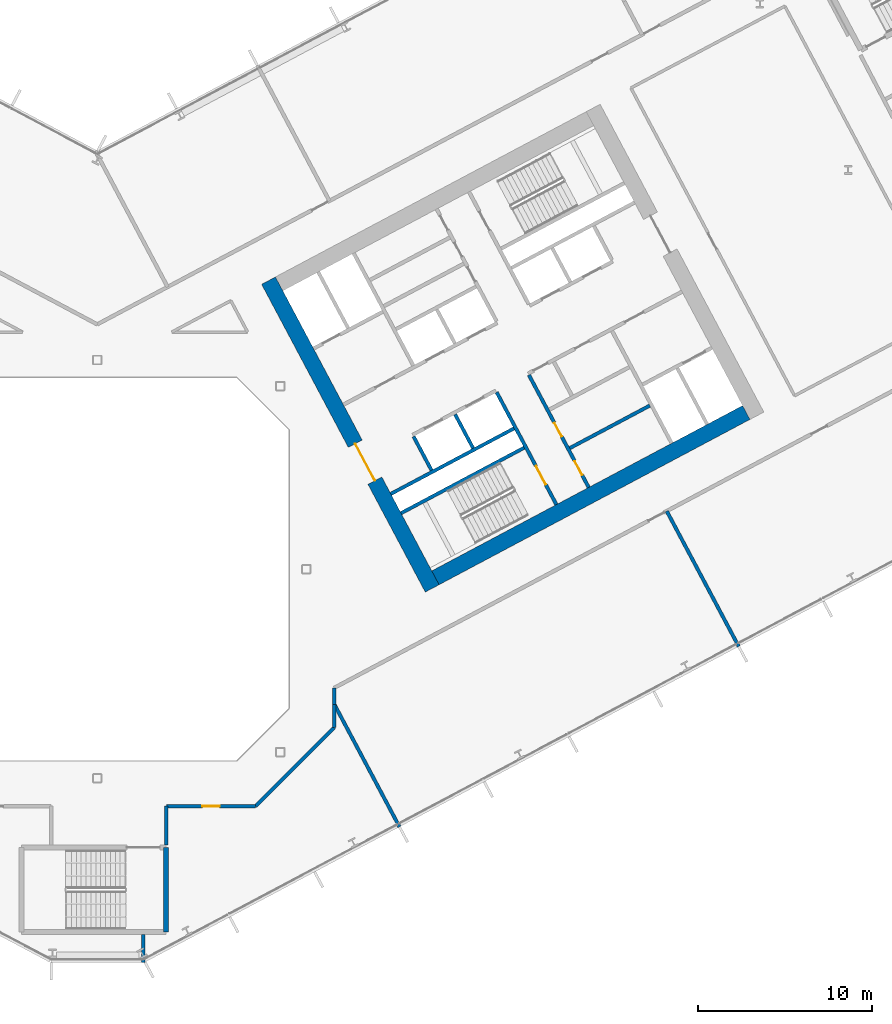
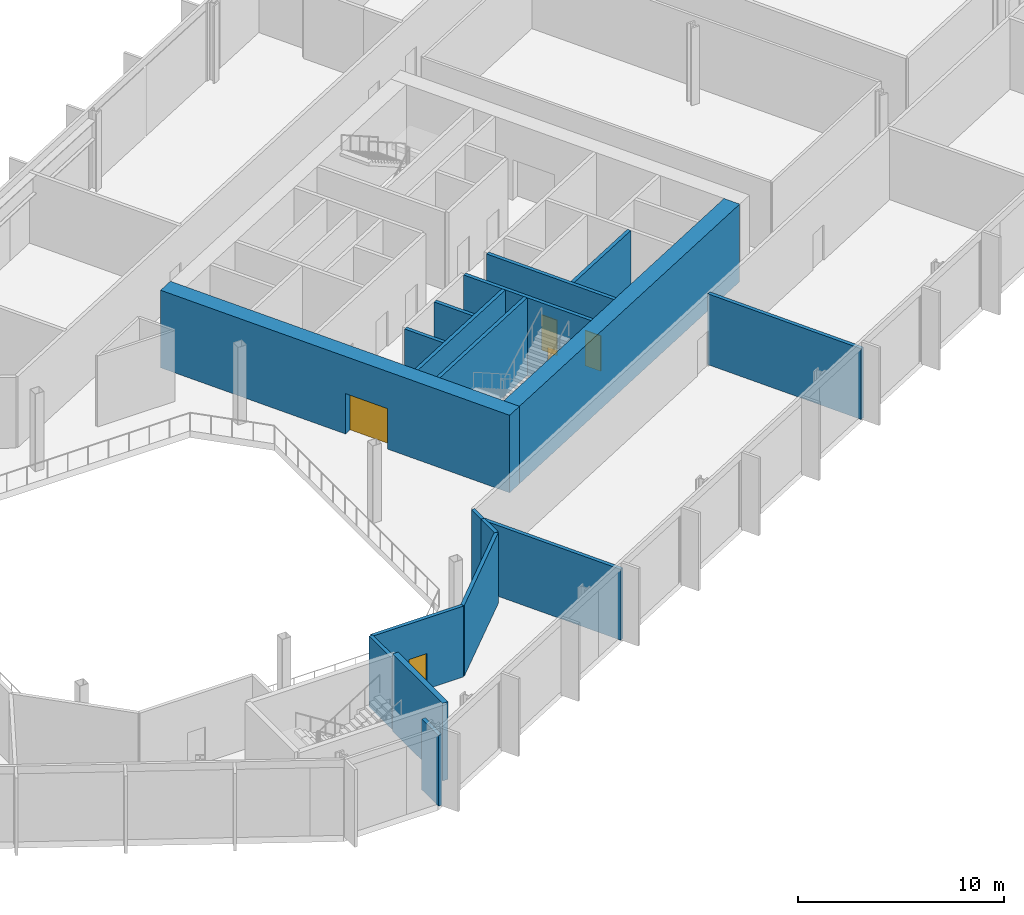
# One storey, part 16 of 32: 18 walls, 5 doors, 5 openings.
"""IFC4 building model written with IfcOpenShell, lengths in metres."""

from ifc_helpers import new_model, si_unit, direction, frame, frame_2d, origin, place, context, subcontext, project, spatial, rectangle, extrude, material, layer, layer_set, type_object, element, fill, save


model = new_model("IFC4")

# Units and contexts
model_context = context("Model", 3, precision=1e-05, world=origin(), true_north=direction((0.0, 1.0)))
body_context = subcontext(model_context, "Body", "Model", "MODEL_VIEW")
ifc_project = project(units=[si_unit("LENGTHUNIT", "METRE"), si_unit("AREAUNIT", "SQUARE_METRE"), si_unit("VOLUMEUNIT", "CUBIC_METRE"), si_unit("PLANEANGLEUNIT", "RADIAN"), si_unit("MASSUNIT", "GRAM", prefix="KILO")], contexts=[model_context])

# Site, building, storey
site_placement = place(None, origin())
site = spatial("IfcSite", under=ifc_project, at=site_placement, CompositionType="ELEMENT")
building_placement = place(site_placement, origin())
building = spatial("IfcBuilding", under=site, at=building_placement, Name="Cormorant Relay Tower", CompositionType="ELEMENT")
storey_placement = place(building_placement, frame((0.0, 0.0, 70.800048828125)))
storey = spatial("IfcBuildingStorey", under=building, at=storey_placement, Name="L13", CompositionType="ELEMENT", Elevation=70.800048828125)

# Walls
ifc_material_1 = material(Name="Concrete 40 MPa", Category="concrete")
ifc_layer_1 = layer(ifc_material_1, 0.199951171875)
ifc_layer_set_1 = layer_set([ifc_layer_1], Name="Core internal wall 200")
wall_type_1 = type_object("IfcWallType", Name="Core internal wall 200", PredefinedType="SOLIDWALL", material=ifc_layer_set_1)
wall_1_placement = place(storey_placement, frame((21.567626953125, 6.9375, 0.0), z_axis=(0.0, 0.0, 1.0), x_axis=(-0.469533832133, 0.882914480843, 0.0)))
element("IfcWall", 1, at=wall_1_placement, inside=storey, type_object=wall_type_1, Name="L13 core B shaft and room wall", PredefinedType="SOLIDWALL", context=body_context, shape_type="SweptSolid", body=[
    extrude(rectangle(XDim=2.199951171875, YDim=0.199951171875, at=frame_2d((1.10009765625, 0.0))), origin(), (0.0, 0.0, 1.0), 4.599853515625),
])
wall_2_placement = place(storey_placement, frame((27.11474609375, 6.942138671875, 0.0), z_axis=(0.0, 0.0, 1.0), x_axis=(0.882934506056, 0.469496174655, 0.0)))
element("IfcWall", 2, at=wall_2_placement, inside=storey, type_object=wall_type_1, Name="L13 core B shaft and room wall", PredefinedType="SOLIDWALL", context=body_context, shape_type="SweptSolid", body=[
    extrude(rectangle(XDim=5.199951171875, YDim=0.199951171875, at=frame_2d((2.60009765625, 0.0))), origin(), (0.0, 0.0, 1.0), 4.599853515625),
])
ifc_material_2 = material(Name="Concrete 50 MPa", Category="concrete")
ifc_layer_2 = layer(ifc_material_2, 0.199951171875)
ifc_layer_set_2 = layer_set([ifc_layer_2], Name="Core shaft wall 200")
wall_type_2 = type_object("IfcWallType", Name="Core shaft wall 200", PredefinedType="SHEAR", material=ifc_layer_set_2)
wall_3_placement = place(storey_placement, frame((19.18359375, 5.669921875, 0.0), z_axis=(0.0, 0.0, 1.0), x_axis=(-0.4694473164, 0.882960484464, 0.0)))
element("IfcWall", 3, at=wall_3_placement, inside=storey, type_object=wall_type_2, Name="L13 core B shaft wall", PredefinedType="SHEAR", context=body_context, shape_type="SweptSolid", body=[
    extrude(rectangle(XDim=2.199951171875, YDim=0.199951171875, at=frame_2d((1.10009765625, 0.0))), origin(), (0.0, 0.0, 1.0), 4.599853515625),
])

# Wall, opening, door
wall_4_placement = place(storey_placement, frame((26.345947265625, 3.701904296875, 0.0), z_axis=(0.0, 0.0, 1.0), x_axis=(-0.469480409012, 0.88294288918, 0.0)))
wall_4 = element("IfcWall", 4, at=wall_4_placement, inside=storey, type_object=wall_type_2, Name="L13 core B shaft wall", PredefinedType="SHEAR", context=body_context, shape_type="SweptSolid", body=[
    extrude(rectangle(XDim=7.300048828125, YDim=0.199951171875, at=frame_2d((3.64990234375, 0.0))), origin(), (0.0, 0.0, 1.0), 4.599853515625),
])
opening_1_placement = place(wall_4_placement, frame((1.300048828125, 0.0, 0.0)))
opening_1 = element("IfcOpeningElement", 5, at=opening_1_placement, cuts=wall_4, Name="Opening CDB-026", PredefinedType="OPENING", context=body_context, shape_type="SweptSolid", body=[
    extrude(rectangle(XDim=1.199951171875, YDim=2.10009765625, at=frame_2d((0.60009765625, 1.050048828125))), frame((0.0, 0.10986328125, 0.0), z_axis=(0.0, -1.0, 0.0), x_axis=(1.0, 0.0, 0.0)), (0.0, 0.0, 1.0), 0.219970703125),
])
ifc_material_3 = material(Name="Steel fire door", Category="steel")
door_type_1 = type_object("IfcDoorType", Name="Core stair door 1200x2100", OperationType="SINGLE_SWING_LEFT", PredefinedType="DOOR", material=ifc_material_3)
door_1_placement = place(opening_1_placement, origin())
door_1 = element("IfcDoor", 6, at=door_1_placement, inside=storey, type_object=door_type_1, Name="Core stair door 1200x2100", OperationType="SINGLE_SWING_RIGHT", OverallHeight=2.10009765625, OverallWidth=1.199951171875, PredefinedType="DOOR", context=body_context, shape_type="SweptSolid", body=[
    extrude(rectangle(XDim=1.199951171875, YDim=2.10009765625, at=frame_2d((0.60009765625, 1.050048828125))), frame((0.0, 0.02490234375, 0.0), z_axis=(0.0, -1.0, 0.0), x_axis=(1.0, 0.0, 0.0)), (0.0, 0.0, 1.0), 0.050048828125),
])
fill(opening_1, door_1)

# Wall, openings, doors
wall_5_placement = place(storey_placement, frame((28.199951171875, 4.687744140625, 0.0), z_axis=(0.0, 0.0, 1.0), x_axis=(-0.469454336211, 0.882956752176, 0.0)))
wall_5 = element("IfcWall", 7, at=wall_5_placement, inside=storey, type_object=wall_type_2, Name="L13 core B shaft wall", PredefinedType="SHEAR", context=body_context, shape_type="SweptSolid", body=[
    extrude(rectangle(XDim=7.300048828125, YDim=0.199951171875, at=frame_2d((3.64990234375, 0.0))), origin(), (0.0, 0.0, 1.0), 4.599853515625),
])
opening_2_placement = place(wall_5_placement, frame((0.800048828125, 0.0, 0.0)))
opening_2 = element("IfcOpeningElement", 8, at=opening_2_placement, cuts=wall_5, Name="Opening CDD-124", PredefinedType="OPENING", context=body_context, shape_type="SweptSolid", body=[
    extrude(rectangle(XDim=0.89990234375, YDim=2.10009765625, at=frame_2d((0.449951171875, 1.050048828125))), frame((0.0, 0.10986328125, 0.0), z_axis=(0.0, -1.0, 0.0), x_axis=(1.0, 0.0, 0.0)), (0.0, 0.0, 1.0), 0.219970703125),
])
opening_3_placement = place(wall_5_placement, frame((3.300048828125, 0.0, 0.0)))
opening_3 = element("IfcOpeningElement", 9, at=opening_3_placement, cuts=wall_5, Name="Opening CDD-125", PredefinedType="OPENING", context=body_context, shape_type="SweptSolid", body=[
    extrude(rectangle(XDim=0.89990234375, YDim=2.10009765625, at=frame_2d((0.449951171875, 1.050048828125))), frame((0.0, 0.10986328125, 0.0), z_axis=(0.0, -1.0, 0.0), x_axis=(1.0, 0.0, 0.0)), (0.0, 0.0, 1.0), 0.219970703125),
])
ifc_material_4 = material(Name="Steel fire door", Category="steel")
door_type_2 = type_object("IfcDoorType", Name="Core room door 900x2100", OperationType="SINGLE_SWING_LEFT", PredefinedType="DOOR", material=ifc_material_4)
door_2_placement = place(opening_2_placement, frame((0.89990234375, 0.0, 0.0), z_axis=(0.0, 0.0, 1.0), x_axis=(-1.0, 0.0, 0.0)))
door_2 = element("IfcDoor", 10, at=door_2_placement, inside=storey, type_object=door_type_2, Name="Core room door 900x2100", OperationType="SINGLE_SWING_LEFT", OverallHeight=2.10009765625, OverallWidth=0.89990234375, PredefinedType="DOOR", context=body_context, shape_type="SweptSolid", body=[
    extrude(rectangle(XDim=0.89990234375, YDim=2.10009765625, at=frame_2d((0.449951171875, 1.050048828125))), frame((0.0, 0.02490234375, 0.0), z_axis=(0.0, -1.0, 0.0), x_axis=(1.0, 0.0, 0.0)), (0.0, 0.0, 1.0), 0.050048828125),
])
fill(opening_2, door_2)
door_3_placement = place(opening_3_placement, frame((0.89990234375, 0.0, 0.0), z_axis=(0.0, 0.0, 1.0), x_axis=(-1.0, 0.0, 0.0)))
door_3 = element("IfcDoor", 11, at=door_3_placement, inside=storey, type_object=door_type_2, Name="Core room door 900x2100", OperationType="SINGLE_SWING_LEFT", OverallHeight=2.10009765625, OverallWidth=0.89990234375, PredefinedType="DOOR", context=body_context, shape_type="SweptSolid", body=[
    extrude(rectangle(XDim=0.89990234375, YDim=2.10009765625, at=frame_2d((0.449951171875, 1.050048828125))), frame((0.0, 0.02490234375, 0.0), z_axis=(0.0, -1.0, 0.0), x_axis=(1.0, 0.0, 0.0)), (0.0, 0.0, 1.0), 0.050048828125),
])
fill(opening_3, door_3)

# Walls
for number, where, z_axis, x_axis, name in (
    (12, (17.43359375, 3.210205078125, 0.0), (0.0, 0.0, 1.0), (0.882940221191, 0.469485426614, 0.0), "L13 core B shaft wall"),
    (13, (16.8466796875, 4.31396484375, 0.0), (0.0, 0.0, 1.0), (0.882940221191, 0.469485426614, 0.0), "L13 core B shaft wall"),
):
    element("IfcWall", number, at=place(storey_placement, frame(where, z_axis=z_axis, x_axis=x_axis)), inside=storey, type_object=wall_type_2, Name=name, PredefinedType="SHEAR", context=body_context, shape_type="SweptSolid", body=[
        extrude(rectangle(XDim=8.0, YDim=0.199951171875, at=frame_2d((4.0, 0.0))), origin(), (0.0, 0.0, 1.0), 4.599853515625),
    ])

# Wall, opening, door
ifc_material_5 = material(Name="Concrete 70 MPa", Category="concrete")
ifc_layer_3 = layer(ifc_material_5, 0.89990234375)
ifc_layer_set_3 = layer_set([ifc_layer_3], Name="Core wall 900")
wall_type_3 = type_object("IfcWallType", Name="Core wall 900", PredefinedType="SHEAR", material=ifc_layer_set_3)
wall_6_placement = place(storey_placement, frame((19.21923828125, -1.106689453125, 0.0), z_axis=(0.0, 0.0, 1.0), x_axis=(-0.46947084998, 0.882947971864, 0.0)))
wall_6 = element("IfcWall", 14, at=wall_6_placement, inside=storey, type_object=wall_type_3, Name="L13 core B wall", PredefinedType="SHEAR", context=body_context, shape_type="SweptSolid", body=[
    extrude(rectangle(XDim=20.0, YDim=0.89990234375, at=frame_2d((10.0, 0.0))), origin(), (0.0, 0.0, 1.0), 4.599853515625),
])
opening_4_placement = place(wall_6_placement, frame((7.0, 0.0, 0.0)))
opening_4 = element("IfcOpeningElement", 15, at=opening_4_placement, cuts=wall_6, Name="Opening CDA-019", PredefinedType="OPENING", context=body_context, shape_type="SweptSolid", body=[
    extrude(rectangle(XDim=2.39990234375, YDim=2.39990234375, at=frame_2d((1.199951171875, 1.199951171875))), frame((0.0, 0.4599609375, 0.0), z_axis=(0.0, -1.0, 0.0), x_axis=(1.0, 0.0, 0.0)), (0.0, 0.0, 1.0), 0.919921875),
])
ifc_material_6 = material(Name="Steel fire door", Category="steel")
door_type_3 = type_object("IfcDoorType", Name="Core lobby door 2400x2400", OperationType="DOUBLE_DOOR_SINGLE_SWING", PredefinedType="DOOR", material=ifc_material_6)
door_4_placement = place(opening_4_placement, frame((2.39990234375, 0.0, 0.0), z_axis=(0.0, 0.0, 1.0), x_axis=(-1.0, 0.0, 0.0)))
door_4 = element("IfcDoor", 16, at=door_4_placement, inside=storey, type_object=door_type_3, Name="Core lobby door 2400x2400", OperationType="DOUBLE_DOOR_SINGLE_SWING", OverallHeight=2.39990234375, OverallWidth=2.39990234375, PredefinedType="DOOR", context=body_context, shape_type="SweptSolid", body=[
    extrude(rectangle(XDim=2.39990234375, YDim=2.39990234375, at=frame_2d((1.199951171875, 1.199951171875))), frame((0.0, 0.02490234375, 0.0), z_axis=(0.0, -1.0, 0.0), x_axis=(1.0, 0.0, 0.0)), (0.0, 0.0, 1.0), 0.050048828125),
])
fill(opening_4, door_4)

# Walls
wall_7_placement = place(storey_placement, frame((19.4052734375, -0.498046875, 0.0), z_axis=(0.0, 0.0, 1.0), x_axis=(0.88294509198, 0.469476266226, 0.0)))
element("IfcWall", 17, at=wall_7_placement, inside=storey, type_object=wall_type_3, Name="L13 core B wall", PredefinedType="SHEAR", context=body_context, shape_type="SweptSolid", body=[
    extrude(rectangle(XDim=20.199951171875, YDim=0.89990234375, at=frame_2d((10.10009765625, 0.0))), origin(), (0.0, 0.0, 1.0), 4.599853515625),
])
ifc_material_7 = material(Name="Fire-rated gypsum board partition")
ifc_layer_4 = layer(ifc_material_7, 0.199951171875)
ifc_layer_set_4 = layer_set([ifc_layer_4], Name="Fire-rated gypsum partition 200")
wall_type_4 = type_object("IfcWallType", Name="Fire-rated gypsum partition 200", PredefinedType="PARTITIONING", material=ifc_layer_set_4)
wall_8_placement = place(storey_placement, frame((2.64892578125, -22.58203125, 0.0), z_axis=(0.0, 0.0, 1.0), x_axis=(0.0, 1.0, 0.0)))
element("IfcWall", 18, at=wall_8_placement, inside=storey, type_object=wall_type_4, Name="wall/L13/part/28", PredefinedType="PARTITIONING", context=body_context, shape_type="SweptSolid", body=[
    extrude(rectangle(XDim=1.6220703125, YDim=0.199951171875, at=frame_2d((0.81103515625, 0.0))), origin(), (0.0, 0.0, 1.0), 4.199951171875),
])
wall_9_placement = place(storey_placement, frame((3.949951171875, -13.60009765625, 0.0), z_axis=(0.0, 0.0, 1.0), x_axis=(0.0, -1.0, 0.0)))
element("IfcWall", 19, at=wall_9_placement, inside=storey, type_object=wall_type_4, Name="wall/L13/part/29", PredefinedType="PARTITIONING", context=body_context, shape_type="SweptSolid", body=[
    extrude(rectangle(XDim=2.239990234375, YDim=0.199951171875, at=frame_2d((1.1201171875, 0.0))), origin(), (0.0, 0.0, 1.0), 4.199951171875),
])
wall_10_placement = place(storey_placement, frame((13.60009765625, -7.756103515625, 0.0), z_axis=(0.0, 0.0, 1.0), x_axis=(0.0, -1.0, 0.0)))
element("IfcWall", 20, at=wall_10_placement, inside=storey, type_object=wall_type_4, Name="wall/L13/part/30", PredefinedType="PARTITIONING", context=body_context, shape_type="SweptSolid", body=[
    extrude(rectangle(XDim=1.32080078125, YDim=0.199951171875, at=frame_2d((0.660400390625, 0.0))), origin(), (0.0, 0.0, 1.0), 4.199951171875),
])
wall_11_placement = place(storey_placement, frame((13.60009765625, -9.076904296875, 0.0), z_axis=(0.0, 0.0, 1.0), x_axis=(-0.707106781187, -0.707106781187, 0.0)))
element("IfcWall", 21, at=wall_11_placement, inside=storey, type_object=wall_type_4, Name="wall/L13/part/31", PredefinedType="PARTITIONING", context=body_context, shape_type="SweptSolid", body=[
    extrude(rectangle(XDim=6.396728515625, YDim=0.199951171875, at=frame_2d((3.1982421875, 0.0))), origin(), (0.0, 0.0, 1.0), 4.199951171875),
])

# Wall, opening, door
wall_12_placement = place(storey_placement, frame((9.076904296875, -13.60009765625, 0.0), z_axis=(0.0, 0.0, 1.0), x_axis=(-1.0, 0.0, 0.0)))
wall_12 = element("IfcWall", 22, at=wall_12_placement, inside=storey, type_object=wall_type_4, Name="wall/L13/part/32", PredefinedType="PARTITIONING", context=body_context, shape_type="SweptSolid", body=[
    extrude(rectangle(XDim=5.091796875, YDim=0.199951171875, at=frame_2d((2.5458984375, 0.0))), origin(), (0.0, 0.0, 1.0), 4.199951171875),
])
opening_5_placement = place(wall_12_placement, frame((2.050048828125, 0.0, 0.0)))
opening_5 = element("IfcOpeningElement", 23, at=opening_5_placement, cuts=wall_12, Name="Opening FD1-076", PredefinedType="OPENING", context=body_context, shape_type="SweptSolid", body=[
    extrude(rectangle(XDim=1.0, YDim=2.10009765625, at=frame_2d((0.5, 1.050048828125))), frame((0.0, 0.10986328125, 0.0), z_axis=(0.0, -1.0, 0.0), x_axis=(1.0, 0.0, 0.0)), (0.0, 0.0, 1.0), 0.219970703125),
])
ifc_material_8 = material(Name="Fire-rated steel door", Category="steel")
door_type_4 = type_object("IfcDoorType", Name="Fire door 1000 x 2100", OperationType="SINGLE_SWING_LEFT", PredefinedType="DOOR", material=ifc_material_8)
door_5_placement = place(opening_5_placement, origin())
door_5 = element("IfcDoor", 24, at=door_5_placement, inside=storey, type_object=door_type_4, Name="door/L13/12", OperationType="SINGLE_SWING_RIGHT", OverallHeight=2.10009765625, OverallWidth=1.0, PredefinedType="DOOR", context=body_context, shape_type="SweptSolid", body=[
    extrude(rectangle(XDim=1.0, YDim=2.10009765625, at=frame_2d((0.5, 1.050048828125))), frame((0.0, 0.02490234375, 0.0), z_axis=(0.0, -1.0, 0.0), x_axis=(1.0, 0.0, 0.0)), (0.0, 0.0, 1.0), 0.050048828125),
])
fill(opening_5, door_5)

# Walls
wall_13_placement = place(storey_placement, frame((13.60009765625, -7.75, 0.0), z_axis=(0.0, 0.0, 1.0), x_axis=(0.469489555723, -0.882938025609, 0.0)))
element("IfcWall", 25, at=wall_13_placement, inside=storey, type_object=wall_type_4, Name="wall/L13/part/34", PredefinedType="PARTITIONING", context=body_context, shape_type="SweptSolid", body=[
    extrude(rectangle(XDim=7.972412109375, YDim=0.199951171875, at=frame_2d((3.986328125, 0.0))), origin(), (0.0, 0.0, 1.0), 4.199951171875),
])
wall_14_placement = place(storey_placement, frame((13.60009765625, -6.81298828125, 0.0), z_axis=(0.0, 0.0, 1.0), x_axis=(0.0, -1.0, 0.0)))
element("IfcWall", 26, at=wall_14_placement, inside=storey, type_object=wall_type_4, Name="wall/L13/part/36", PredefinedType="PARTITIONING", context=body_context, shape_type="SweptSolid", body=[
    extrude(rectangle(XDim=0.943115234375, YDim=0.199951171875, at=frame_2d((0.4716796875, 0.0))), origin(), (0.0, 0.0, 1.0), 4.199951171875),
])
wall_15_placement = place(storey_placement, frame((36.80908203125, -4.43896484375, 0.0), z_axis=(0.0, 0.0, 1.0), x_axis=(-0.469445946219, 0.882961212952, 0.0)))
element("IfcWall", 27, at=wall_15_placement, inside=storey, type_object=wall_type_4, Name="wall/L13/part/42", PredefinedType="PARTITIONING", context=body_context, shape_type="SweptSolid", body=[
    extrude(rectangle(XDim=8.800048828125, YDim=0.199951171875, at=frame_2d((4.39990234375, 0.0))), origin(), (0.0, 0.0, 1.0), 4.199951171875),
])
ifc_material_9 = material(Name="Concrete 50 MPa", Category="concrete")
ifc_layer_5 = layer(ifc_material_9, 0.300048828125)
ifc_layer_set_5 = layer_set([ifc_layer_5], Name="Remote stair wall 300")
wall_type_5 = type_object("IfcWallType", Name="Remote stair wall 300", PredefinedType="SHEAR", material=ifc_layer_set_5)
wall_16_placement = place(storey_placement, frame((3.949951171875, -15.97509765625, 0.0), z_axis=(0.0, 0.0, 1.0), x_axis=(0.0, -1.0, 0.0)))
element("IfcWall", 28, at=wall_16_placement, inside=storey, type_object=wall_type_5, Name="L13 exit stair RK1 wall", PredefinedType="SHEAR", context=body_context, shape_type="SweptSolid", body=[
    extrude(rectangle(XDim=4.849853515625, YDim=0.300048828125, at=frame_2d((2.4248046875, 0.0))), origin(), (0.0, 0.0, 1.0), 4.599853515625),
])

save(model, "model.ifc")
